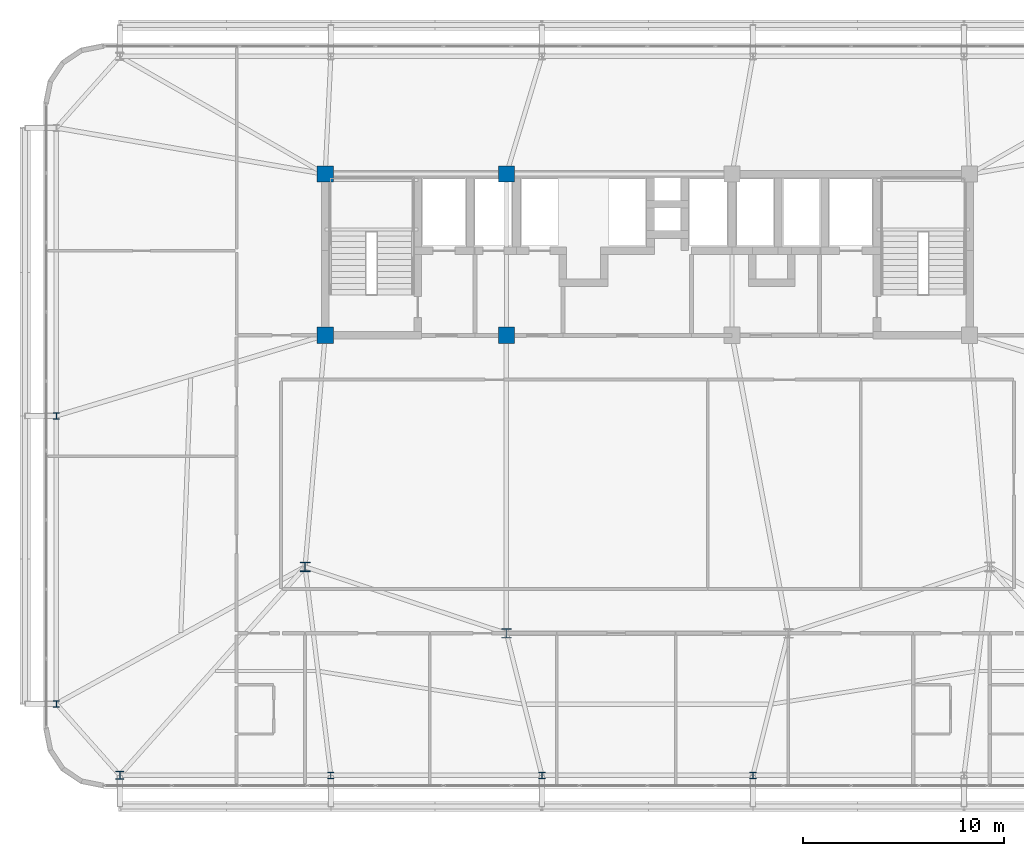
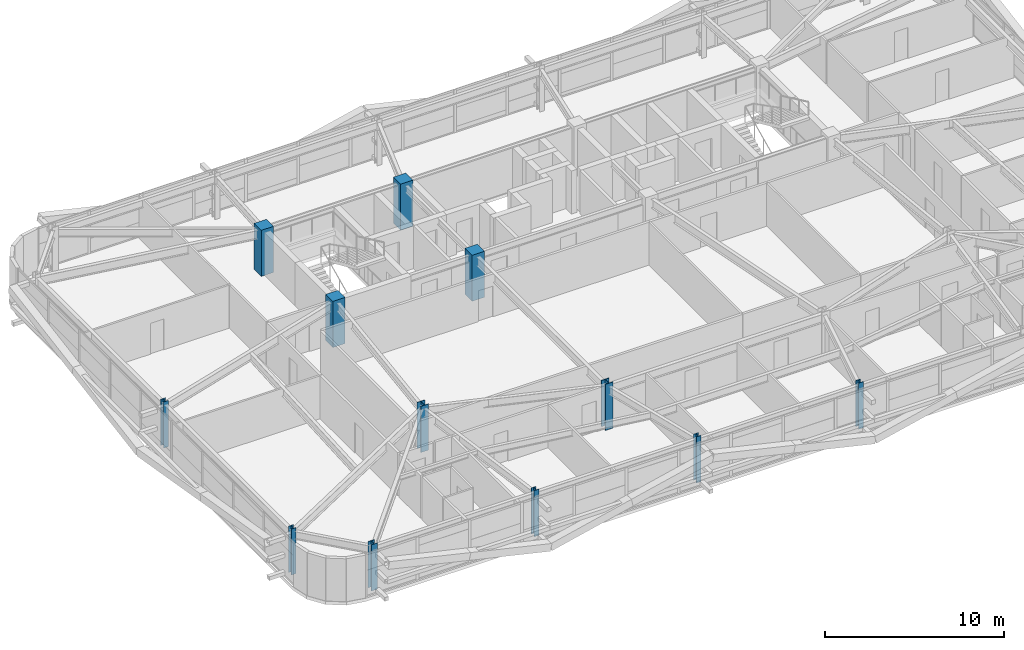
# One storey, part 1 of 58: 12 columns.
"""IFC4 building model written with IfcOpenShell, lengths in metres."""

from ifc_helpers import new_model, si_unit, direction, frame, origin, origin_2d, place, context, subcontext, project, spatial, rectangle, i_section, extrude, source, transform, mapped, material, material_profile, profile_set, type_object, element, save


model = new_model("IFC4")

# Units and contexts
model_context = context("Model", 3, precision=1e-05, world=origin(), true_north=direction((0.0, 1.0)))
body_context = subcontext(model_context, "Body", "Model", "MODEL_VIEW")
ifc_project = project(units=[si_unit("LENGTHUNIT", "METRE"), si_unit("AREAUNIT", "SQUARE_METRE"), si_unit("VOLUMEUNIT", "CUBIC_METRE"), si_unit("PLANEANGLEUNIT", "RADIAN"), si_unit("MASSUNIT", "GRAM", prefix="KILO")], contexts=[model_context])

# Site, building, storey
site_placement = place(None, origin())
site = spatial("IfcSite", under=ifc_project, at=site_placement, CompositionType="ELEMENT")
building_placement = place(site_placement, origin())
building = spatial("IfcBuilding", under=site, at=building_placement, Name="Taldren Reach Tower", CompositionType="ELEMENT")
storey_placement = place(building_placement, frame((0.0, 0.0, 51.449951171875)))
storey = spatial("IfcBuildingStorey", under=building, at=storey_placement, Name="L15", CompositionType="ELEMENT", Elevation=51.449951171875)

# Columns
ifc_material_1 = material(Name="Concrete S65 (65 MPa)", Category="concrete")
ifc_material_profile_1 = material_profile(ifc_material_1, rectangle(XDim=0.800048828125, YDim=0.800048828125, at=origin_2d()), Name="RC-800x800")
ifc_profile_set_1 = profile_set([ifc_material_profile_1], Name="Concrete S65 (65 MPa)")
column_type_1 = type_object("IfcColumnType", Name="COL-RC800", PredefinedType="COLUMN", material=ifc_profile_set_1)
shared_shape_1 = source(origin(), body_context, "Body", "SweptSolid", [
    extrude(rectangle(XDim=0.800048828125, YDim=0.800048828125, at=origin_2d()), origin(), (0.0, 0.0, 1.0), 3.150146484375),
])
for number, where, z_axis, x_axis, name in (
    (1, (19.0, 24.0, 0.0), (0.0, 0.0, 1.0), (1.0, 0.0, 0.0), "Mega column MC-C1 L15"),
    (2, (28.0, 24.0, 0.0), (0.0, 0.0, 1.0), (1.0, 0.0, 0.0), "Mega column MC-C2 L15"),
    (3, (19.0, 32.0, 0.0), (0.0, 0.0, 1.0), (1.0, 0.0, 0.0), "Mega column MC-C5 L15"),
    (4, (28.0, 32.0, 0.0), (0.0, 0.0, 1.0), (1.0, 0.0, 0.0), "Mega column MC-C6 L15"),
):
    element("IfcColumn", number, at=place(storey_placement, frame(where, z_axis=z_axis, x_axis=x_axis)), inside=storey, type_object=column_type_1, Name=name, PredefinedType="COLUMN", context=body_context, shape_type="MappedRepresentation", body=[
        mapped(shared_shape_1, transform((0.0, 0.0, 0.0), scale=1.0)),
    ])
ifc_material_2 = material(Name="Steel Gr 350 (350PLUS)", Category="steel")
ifc_material_profile_2 = material_profile(ifc_material_2, i_section(OverallWidth=0.5, OverallDepth=0.47998046875, WebThickness=0.028076171875, FlangeThickness=0.0439453125, at=origin_2d()), Name="500WC440")
ifc_profile_set_2 = profile_set([ifc_material_profile_2], Name="Steel Gr 350 (350PLUS)")
column_type_2 = type_object("IfcColumnType", Name="COL-WC500A", PredefinedType="COLUMN", material=ifc_profile_set_2)
shared_shape_2 = source(origin(), body_context, "Body", "SweptSolid", [
    extrude(i_section(OverallWidth=0.5, OverallDepth=0.47998046875, WebThickness=0.028076171875, FlangeThickness=0.0439453125, at=origin_2d()), origin(), (0.0, 0.0, 1.0), 3.150146484375),
])
column_1_placement = place(storey_placement, frame((28.0, 9.199951171875, 0.0), z_axis=(0.0, 0.0, 1.0), x_axis=(1.0, 0.0, 0.0)))
element("IfcColumn", 5, at=column_1_placement, inside=storey, type_object=column_type_2, Name="Mega column MC-PJW L15", PredefinedType="COLUMN", context=body_context, shape_type="MappedRepresentation", body=[
    mapped(shared_shape_2, transform((0.0, 0.0, 0.0), scale=1.0)),
])
ifc_material_profile_3 = material_profile(ifc_material_2, i_section(OverallWidth=0.39990234375, OverallDepth=0.39599609375, WebThickness=0.02197265625, FlangeThickness=0.033935546875, at=origin_2d()), Name="400WC270")
ifc_profile_set_3 = profile_set([ifc_material_profile_3], Name="Steel Gr 350 (350PLUS)")
column_type_3 = type_object("IfcColumnType", Name="COL-WC400", PredefinedType="COLUMN", material=ifc_profile_set_3)
shared_shape_3 = source(origin(), body_context, "Body", "SweptSolid", [
    extrude(i_section(OverallWidth=0.39990234375, OverallDepth=0.39599609375, WebThickness=0.02197265625, FlangeThickness=0.033935546875, at=origin_2d()), origin(), (0.0, 0.0, 1.0), 3.150146484375),
])
column_2_placement = place(storey_placement, frame((8.800048828125, 2.14990234375, 0.0), z_axis=(0.0, 0.0, 1.0), x_axis=(1.0, 0.0, 0.0)))
element("IfcColumn", 6, at=column_2_placement, inside=storey, type_object=column_type_3, Name="Block B1 perimeter column S1 L15", PredefinedType="COLUMN", context=body_context, shape_type="MappedRepresentation", body=[
    mapped(shared_shape_3, transform((0.0, 0.0, 0.0), scale=1.0)),
])
ifc_material_profile_4 = material_profile(ifc_material_2, i_section(OverallWidth=0.31103515625, OverallDepth=0.326904296875, WebThickness=0.015625, FlangeThickness=0.02490234375, at=origin_2d()), Name="310UC158")
ifc_profile_set_4 = profile_set([ifc_material_profile_4], Name="Steel Gr 350 (350PLUS)")
column_type_4 = type_object("IfcColumnType", Name="COL-UC310A", PredefinedType="COLUMN", material=ifc_profile_set_4)
shared_shape_4 = source(origin(), body_context, "Body", "SweptSolid", [
    extrude(i_section(OverallWidth=0.31103515625, OverallDepth=0.326904296875, WebThickness=0.015625, FlangeThickness=0.02490234375, at=origin_2d()), origin(), (0.0, 0.0, 1.0), 3.150146484375),
])
for number, where, z_axis, x_axis, name in (
    (7, (19.280029296875, 2.14990234375, 0.0), (0.0, 0.0, 1.0), (1.0, 0.0, 0.0), "Block B1 perimeter column S2 L15"),
    (8, (29.760009765625, 2.14990234375, 0.0), (0.0, 0.0, 1.0), (1.0, 0.0, 0.0), "Block B1 perimeter column S3 L15"),
    (9, (40.239990234375, 2.14990234375, 0.0), (0.0, 0.0, 1.0), (1.0, 0.0, 0.0), "Block B1 perimeter column S4 L15"),
    (10, (5.64990234375, 5.699951171875, 0.0), (0.0, 0.0, 1.0), (1.0, 0.0, 0.0), "Block B1 perimeter column W1 L15"),
    (11, (5.64990234375, 20.0, 0.0), (0.0, 0.0, 1.0), (1.0, 0.0, 0.0), "Block B1 perimeter column W2 L15"),
):
    element("IfcColumn", number, at=place(storey_placement, frame(where, z_axis=z_axis, x_axis=x_axis)), inside=storey, type_object=column_type_4, Name=name, PredefinedType="COLUMN", context=body_context, shape_type="MappedRepresentation", body=[
        mapped(shared_shape_4, transform((0.0, 0.0, 0.0), scale=1.0)),
    ])
ifc_material_profile_5 = material_profile(ifc_material_2, i_section(OverallWidth=0.5, OverallDepth=0.464111328125, WebThickness=0.02197265625, FlangeThickness=0.033935546875, at=origin_2d()), Name="500WC340")
ifc_profile_set_5 = profile_set([ifc_material_profile_5], Name="Steel Gr 350 (350PLUS)")
column_type_5 = type_object("IfcColumnType", Name="COL-WC500B", PredefinedType="COLUMN", material=ifc_profile_set_5)
shared_shape_5 = source(origin(), body_context, "Body", "SweptSolid", [
    extrude(i_section(OverallWidth=0.5, OverallDepth=0.464111328125, WebThickness=0.02197265625, FlangeThickness=0.033935546875, at=origin_2d()), origin(), (0.0, 0.0, 1.0), 3.150146484375),
])
column_3_placement = place(storey_placement, frame((18.0, 12.5, 0.0), z_axis=(0.0, 0.0, 1.0), x_axis=(1.0, 0.0, 0.0)))
element("IfcColumn", 12, at=column_3_placement, inside=storey, type_object=column_type_5, Name="Mega column MC-SW L15", PredefinedType="COLUMN", context=body_context, shape_type="MappedRepresentation", body=[
    mapped(shared_shape_5, transform((0.0, 0.0, 0.0), scale=1.0)),
])

save(model, "model.ifc")
